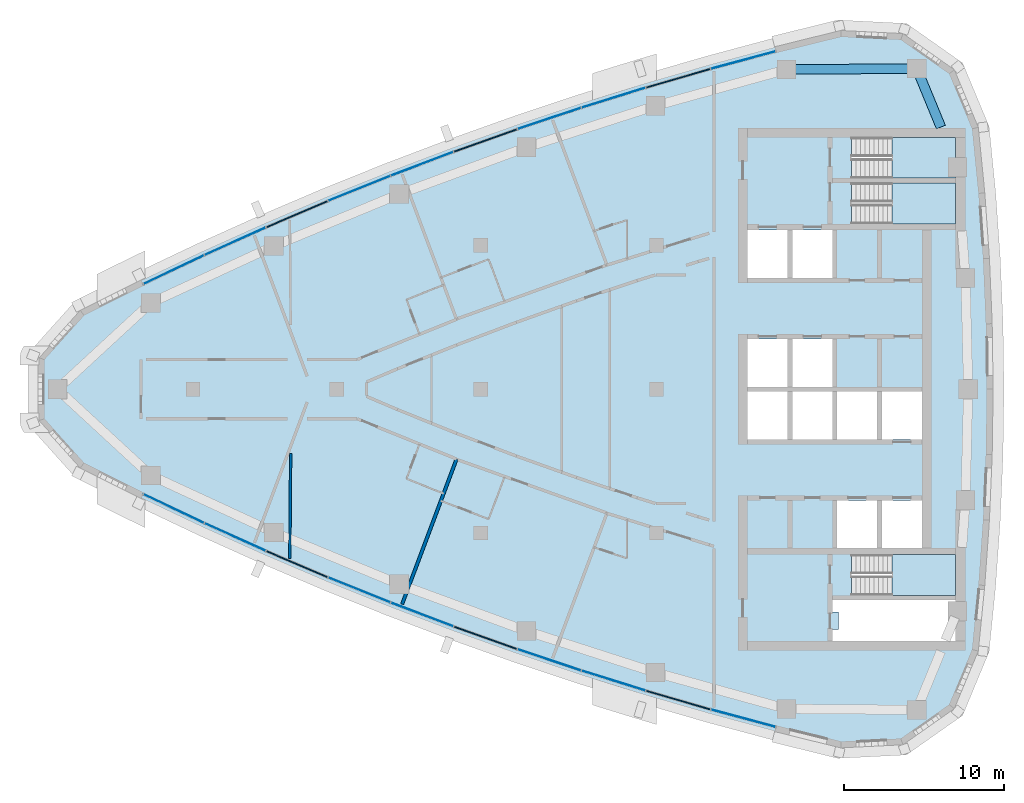
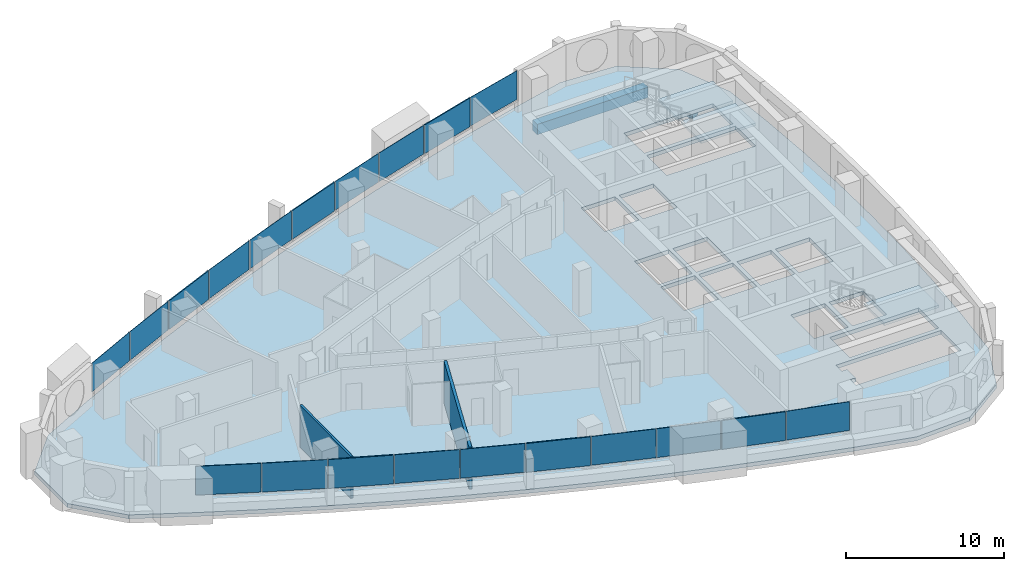
# One storey, part 7 of 16: 20 plates, 4 slabs, 2 beams, 2 walls, 1 opening, 13 elements without a shape of their own.
"""IFC4 building model written with IfcOpenShell, lengths in metres."""

from ifc_helpers import new_model, si_unit, direction, frame, frame_2d, origin, origin_2d, place, context, subcontext, project, spatial, polyline, rectangle, outline, extrude, material, layer, layer_set, material_profile, profile_set, type_object, element, aggregate, save


model = new_model("IFC4")

# Units and contexts
model_context = context("Model", 3, precision=1e-05, world=origin(), true_north=direction((0.0, 1.0)))
body_context = subcontext(model_context, "Body", "Model", "MODEL_VIEW")
ifc_project = project(units=[si_unit("LENGTHUNIT", "METRE"), si_unit("AREAUNIT", "SQUARE_METRE"), si_unit("VOLUMEUNIT", "CUBIC_METRE"), si_unit("PLANEANGLEUNIT", "RADIAN"), si_unit("MASSUNIT", "GRAM", prefix="KILO")], contexts=[model_context])

# Site, building, storey
site_placement = place(None, origin())
site = spatial("IfcSite", under=ifc_project, at=site_placement, CompositionType="ELEMENT")
building_placement = place(site_placement, origin())
building = spatial("IfcBuilding", under=site, at=building_placement, Name="Ostrand Prow Hotel Tower", CompositionType="ELEMENT")
storey_placement = place(building_placement, frame((0.0, 0.0, 227.89990234375)))
storey = spatial("IfcBuildingStorey", under=building, at=storey_placement, Name="L57", CompositionType="ELEMENT", Elevation=227.89990234375)

# Beams
ifc_material_1 = material(Name="Concrete C50/60", Category="concrete")
ifc_material_profile = material_profile(ifc_material_1, rectangle(XDim=0.60009765625, YDim=0.800048828125, at=origin_2d()), Name="RC 600x800")
ifc_profile_set = profile_set([ifc_material_profile], Name="Concrete C50/60")
beam_type = type_object("IfcBeamType", Name="Edge beam 600x800 C50/60", PredefinedType="SPANDREL", material=ifc_profile_set)
beam_1_placement = place(storey_placement, frame((62.7919921875, 16.39990234375, -0.699951171875), z_axis=(-0.380777709221, 0.924666608114, 0.0), x_axis=(-0.924666608114, -0.380777709221, 0.0)))
element("IfcBeam", 1, at=beam_1_placement, inside=storey, type_object=beam_type, Name="Edge beam B5-NE", PredefinedType="SPANDREL", context=body_context, shape_type="SweptSolid", body=[
    extrude(rectangle(XDim=0.60009765625, YDim=0.800048828125, at=origin_2d()), origin(), (0.0, 0.0, 1.0), 3.96044921875),
])
beam_2_placement = place(storey_placement, frame((61.283935546875, 20.06201171875, -0.699951171875), z_axis=(-0.999970657582, -0.007660546678, 0.0), x_axis=(0.007660546678, -0.999970657582, 0.0)))
element("IfcBeam", 2, at=beam_2_placement, inside=storey, type_object=beam_type, Name="Edge beam NE-N1", PredefinedType="SPANDREL", context=body_context, shape_type="SweptSolid", body=[
    extrude(rectangle(XDim=0.60009765625, YDim=0.800048828125, at=origin_2d()), origin(), (0.0, 0.0, 1.0), 8.15869140625),
])

# Curtain wall, plates
ifc_material_2 = material(Name="Insulated glass in bronze anodised frame", Category="glass")
ifc_layer_1 = layer(ifc_material_2, 0.199951171875)
ifc_layer_set_1 = layer_set([ifc_layer_1], Name="Insulated glass in bronze anodised frame")
curtain_wall_type = type_object("IfcCurtainWallType", Name="Strip curtain wall, fritted glass over bronze spandrel", PredefinedType="NOTDEFINED", material=ifc_layer_set_1)
curtain_wall_1_placement = place(storey_placement, origin())
curtain_wall_1 = element("IfcCurtainWall", 3, at=curtain_wall_1_placement, inside=storey, type_object=curtain_wall_type, Name="CW1 run CWS1", PredefinedType="NOTDEFINED")
ifc_material_3 = material(Name="Ceramic-fritted glass", Category="glass")
ifc_layer_2 = layer(ifc_material_3, 0.031982421875)
ifc_layer_set_2 = layer_set([ifc_layer_2], Name="Ceramic-fritted glass")
plate_type_1 = type_object("IfcPlateType", Name="Dot-fritted ceramic glass unit 32 mm", PredefinedType="CURTAIN_PANEL", material=ifc_layer_set_2)
plate_1_placement = place(storey_placement, frame((14.801025390625, -7.4765625, 1.02001953125), z_axis=(0.0, 0.0, 1.0), x_axis=(0.903370475577, -0.428861030937, 0.0)))
plate_1 = element("IfcPlate", 4, at=plate_1_placement, type_object=plate_type_1, Name="CW1 PN-D panel 1.2", PredefinedType="CURTAIN_PANEL", context=body_context, shape_type="SweptSolid", body=[
    extrude(rectangle(XDim=4.163818359375, YDim=0.031982421875, at=origin_2d()), origin(), (0.0, 0.0, 1.0), 2.22998046875),
])
plate_2_placement = place(storey_placement, frame((18.634521484375, -9.249267578125, 1.02001953125), z_axis=(0.0, 0.0, 1.0), x_axis=(0.911823681514, -0.41058199404, 0.0)))
plate_2 = element("IfcPlate", 5, at=plate_2_placement, type_object=plate_type_1, Name="CW1 PN-D panel 2.2", PredefinedType="CURTAIN_PANEL", context=body_context, shape_type="SweptSolid", body=[
    extrude(rectangle(XDim=4.163818359375, YDim=0.031982421875, at=origin_2d()), origin(), (0.0, 0.0, 1.0), 2.22998046875),
])
aggregate(curtain_wall_1, [plate_1, plate_2])

# Curtain wall, plate
curtain_wall_2_placement = place(storey_placement, origin())
curtain_wall_2 = element("IfcCurtainWall", 6, at=curtain_wall_2_placement, inside=storey, type_object=curtain_wall_type, Name="CW1 run CWS2", PredefinedType="NOTDEFINED")
plate_3_placement = place(storey_placement, frame((26.404541015625, -12.5615234375, 1.02001953125), z_axis=(0.0, 0.0, 1.0), x_axis=(0.927616710972, -0.373533449004, 0.0)))
plate_3 = element("IfcPlate", 7, at=plate_3_placement, type_object=plate_type_1, Name="CW1 PN-D panel 2.2", PredefinedType="CURTAIN_PANEL", context=body_context, shape_type="SweptSolid", body=[
    extrude(rectangle(XDim=4.163818359375, YDim=0.031982421875, at=origin_2d()), origin(), (0.0, 0.0, 1.0), 2.22998046875),
])

curtain_wall_3_placement = place(storey_placement, origin())
curtain_wall_3 = element("IfcCurtainWall", 8, at=curtain_wall_3_placement, inside=storey, type_object=curtain_wall_type, Name="CW1 run CWS3", PredefinedType="NOTDEFINED")
plate_4_placement = place(storey_placement, frame((30.337890625, -14.099609375, 1.02001953125), z_axis=(0.0, 0.0, 1.0), x_axis=(0.934950813567, -0.354777361469, 0.0)))
plate_4 = element("IfcPlate", 9, at=plate_4_placement, type_object=plate_type_1, Name="CW1 PN-D panel 1.2", PredefinedType="CURTAIN_PANEL", context=body_context, shape_type="SweptSolid", body=[
    extrude(rectangle(XDim=4.163818359375, YDim=0.031982421875, at=origin_2d()), origin(), (0.0, 0.0, 1.0), 2.22998046875),
])

# Curtain wall, plates
curtain_wall_4_placement = place(storey_placement, origin())
curtain_wall_4 = element("IfcCurtainWall", 10, at=curtain_wall_4_placement, inside=storey, type_object=curtain_wall_type, Name="CW1 run CWS4", PredefinedType="NOTDEFINED")
plate_5_placement = place(storey_placement, frame((38.2939453125, -16.9365234375, 1.02001953125), z_axis=(0.0, 0.0, 1.0), x_axis=(0.948478606268, -0.31684118017, 0.0)))
plate_5 = element("IfcPlate", 11, at=plate_5_placement, type_object=plate_type_1, Name="CW1 PN-D panel 1.2", PredefinedType="CURTAIN_PANEL", context=body_context, shape_type="SweptSolid", body=[
    extrude(rectangle(XDim=4.163818359375, YDim=0.031982421875, at=origin_2d()), origin(), (0.0, 0.0, 1.0), 2.22998046875),
])
plate_6_placement = place(storey_placement, frame((42.31298828125, -18.234375, 1.02001953125), z_axis=(0.0, 0.0, 1.0), x_axis=(0.95466629023, -0.297678138765, 0.0)))
plate_6 = element("IfcPlate", 12, at=plate_6_placement, type_object=plate_type_1, Name="CW1 PN-D panel 2.2", PredefinedType="CURTAIN_PANEL", context=body_context, shape_type="SweptSolid", body=[
    extrude(rectangle(XDim=4.163818359375, YDim=0.031982421875, at=origin_2d()), origin(), (0.0, 0.0, 1.0), 2.22998046875),
])
aggregate(curtain_wall_4, [plate_5, plate_6])

# Curtain wall, plate
curtain_wall_5_placement = place(storey_placement, origin())
curtain_wall_5 = element("IfcCurtainWall", 13, at=curtain_wall_5_placement, inside=storey, type_object=curtain_wall_type, Name="CW1 run CWS5", PredefinedType="NOTDEFINED")
plate_7_placement = place(storey_placement, frame((50.42578125, -20.5859375, 1.02001953125), z_axis=(0.0, 0.0, 1.0), x_axis=(0.965878831034, -0.258994370132, 0.0)))
plate_7 = element("IfcPlate", 14, at=plate_7_placement, type_object=plate_type_1, Name="CW1 PN-D panel 2.2", PredefinedType="CURTAIN_PANEL", context=body_context, shape_type="SweptSolid", body=[
    extrude(rectangle(XDim=4.163818359375, YDim=0.031982421875, at=origin_2d()), origin(), (0.0, 0.0, 1.0), 2.22998046875),
])

curtain_wall_6_placement = place(storey_placement, origin())
curtain_wall_6 = element("IfcCurtainWall", 15, at=curtain_wall_6_placement, inside=storey, type_object=curtain_wall_type, Name="CW1 run CWN1", PredefinedType="NOTDEFINED")
plate_8_placement = place(storey_placement, frame((50.42578125, 20.5859375, 1.02001953125), z_axis=(0.0, 0.0, 1.0), x_axis=(-0.965878831034, -0.258994370132, 0.0)))
plate_8 = element("IfcPlate", 16, at=plate_8_placement, type_object=plate_type_1, Name="CW1 PN-D panel 1.2", PredefinedType="CURTAIN_PANEL", context=body_context, shape_type="SweptSolid", body=[
    extrude(rectangle(XDim=4.163818359375, YDim=0.031982421875, at=origin_2d()), origin(), (0.0, 0.0, 1.0), 2.22998046875),
])

# Curtain wall, plates
curtain_wall_7_placement = place(storey_placement, origin())
curtain_wall_7 = element("IfcCurtainWall", 17, at=curtain_wall_7_placement, inside=storey, type_object=curtain_wall_type, Name="CW1 run CWN2", PredefinedType="NOTDEFINED")
plate_9_placement = place(storey_placement, frame((42.31298828125, 18.234375, 1.02001953125), z_axis=(0.0, 0.0, 1.0), x_axis=(-0.95466629023, -0.297678138765, 0.0)))
plate_9 = element("IfcPlate", 18, at=plate_9_placement, type_object=plate_type_1, Name="CW1 PN-D panel 1.2", PredefinedType="CURTAIN_PANEL", context=body_context, shape_type="SweptSolid", body=[
    extrude(rectangle(XDim=4.163818359375, YDim=0.031982421875, at=origin_2d()), origin(), (0.0, 0.0, 1.0), 2.22998046875),
])
plate_10_placement = place(storey_placement, frame((38.2939453125, 16.9365234375, 1.02001953125), z_axis=(0.0, 0.0, 1.0), x_axis=(-0.948478606268, -0.31684118017, 0.0)))
plate_10 = element("IfcPlate", 19, at=plate_10_placement, type_object=plate_type_1, Name="CW1 PN-D panel 2.2", PredefinedType="CURTAIN_PANEL", context=body_context, shape_type="SweptSolid", body=[
    extrude(rectangle(XDim=4.163818359375, YDim=0.031982421875, at=origin_2d()), origin(), (0.0, 0.0, 1.0), 2.22998046875),
])
aggregate(curtain_wall_7, [plate_9, plate_10])

# Curtain wall, plate
curtain_wall_8_placement = place(storey_placement, origin())
curtain_wall_8 = element("IfcCurtainWall", 20, at=curtain_wall_8_placement, inside=storey, type_object=curtain_wall_type, Name="CW1 run CWN3", PredefinedType="NOTDEFINED")
plate_11_placement = place(storey_placement, frame((30.337890625, 14.099609375, 1.02001953125), z_axis=(0.0, 0.0, 1.0), x_axis=(-0.934950813567, -0.354777361469, 0.0)))
plate_11 = element("IfcPlate", 21, at=plate_11_placement, type_object=plate_type_1, Name="CW1 PN-D panel 2.2", PredefinedType="CURTAIN_PANEL", context=body_context, shape_type="SweptSolid", body=[
    extrude(rectangle(XDim=4.163818359375, YDim=0.031982421875, at=origin_2d()), origin(), (0.0, 0.0, 1.0), 2.22998046875),
])

curtain_wall_9_placement = place(storey_placement, origin())
curtain_wall_9 = element("IfcCurtainWall", 22, at=curtain_wall_9_placement, inside=storey, type_object=curtain_wall_type, Name="CW1 run CWN4", PredefinedType="NOTDEFINED")
plate_12_placement = place(storey_placement, frame((26.404541015625, 12.5615234375, 1.02001953125), z_axis=(0.0, 0.0, 1.0), x_axis=(-0.927616710972, -0.373533449004, 0.0)))
plate_12 = element("IfcPlate", 23, at=plate_12_placement, type_object=plate_type_1, Name="CW1 PN-D panel 1.2", PredefinedType="CURTAIN_PANEL", context=body_context, shape_type="SweptSolid", body=[
    extrude(rectangle(XDim=4.163818359375, YDim=0.031982421875, at=origin_2d()), origin(), (0.0, 0.0, 1.0), 2.22998046875),
])

# Curtain wall, plates
curtain_wall_10_placement = place(storey_placement, origin())
curtain_wall_10 = element("IfcCurtainWall", 24, at=curtain_wall_10_placement, inside=storey, type_object=curtain_wall_type, Name="CW1 run CWN5", PredefinedType="NOTDEFINED")
plate_13_placement = place(storey_placement, frame((18.634521484375, 9.249267578125, 1.02001953125), z_axis=(0.0, 0.0, 1.0), x_axis=(-0.911823681514, -0.41058199404, 0.0)))
plate_13 = element("IfcPlate", 25, at=plate_13_placement, type_object=plate_type_1, Name="CW1 PN-D panel 1.2", PredefinedType="CURTAIN_PANEL", context=body_context, shape_type="SweptSolid", body=[
    extrude(rectangle(XDim=4.163818359375, YDim=0.031982421875, at=origin_2d()), origin(), (0.0, 0.0, 1.0), 2.22998046875),
])
plate_14_placement = place(storey_placement, frame((14.801025390625, 7.4765625, 1.02001953125), z_axis=(0.0, 0.0, 1.0), x_axis=(-0.903370475577, -0.428861030937, 0.0)))
plate_14 = element("IfcPlate", 26, at=plate_14_placement, type_object=plate_type_1, Name="CW1 PN-D panel 2.2", PredefinedType="CURTAIN_PANEL", context=body_context, shape_type="SweptSolid", body=[
    extrude(rectangle(XDim=4.163818359375, YDim=0.031982421875, at=origin_2d()), origin(), (0.0, 0.0, 1.0), 2.22998046875),
])
aggregate(curtain_wall_10, [plate_13, plate_14])

# Plate
ifc_material_4 = material(Name="Fritted glass in bronze vent frame", Category="glass")
ifc_layer_3 = layer(ifc_material_4, 0.080078125)
ifc_layer_set_3 = layer_set([ifc_layer_3], Name="Fritted glass in bronze vent frame")
plate_type_2 = type_object("IfcPlateType", Name="Operable vent panel 80 mm", PredefinedType="CURTAIN_PANEL", material=ifc_layer_set_3)
plate_15_placement = place(storey_placement, frame((22.502685546875, -10.944580078125, 1.02001953125), z_axis=(0.0, 0.0, 1.0), x_axis=(0.919907070112, -0.392136433347, 0.0)))
plate_15 = element("IfcPlate", 27, at=plate_15_placement, type_object=plate_type_2, Name="CW1 PN-O2 panel 1.2", PredefinedType="CURTAIN_PANEL", context=body_context, shape_type="SweptSolid", body=[
    extrude(rectangle(XDim=4.163818359375, YDim=0.080078125, at=origin_2d()), origin(), (0.0, 0.0, 1.0), 2.22998046875),
])

aggregate(curtain_wall_2, [plate_15, plate_3])

plate_16_placement = place(storey_placement, frame((34.3017578125, -15.55810546875, 1.02001953125), z_axis=(0.0, 0.0, 1.0), x_axis=(0.941905718922, -0.335877383374, 0.0)))
plate_16 = element("IfcPlate", 28, at=plate_16_placement, type_object=plate_type_2, Name="CW1 PN-O2 panel 2.2", PredefinedType="CURTAIN_PANEL", context=body_context, shape_type="SweptSolid", body=[
    extrude(rectangle(XDim=4.163818359375, YDim=0.080078125, at=origin_2d()), origin(), (0.0, 0.0, 1.0), 2.22998046875),
])

aggregate(curtain_wall_3, [plate_4, plate_16])

plate_17_placement = place(storey_placement, frame((46.357666015625, -19.450927734375, 1.02001953125), z_axis=(0.0, 0.0, 1.0), x_axis=(0.960467333745, -0.27839270969, 0.0)))
plate_17 = element("IfcPlate", 29, at=plate_17_placement, type_object=plate_type_2, Name="CW1 PN-O2 panel 1.2", PredefinedType="CURTAIN_PANEL", context=body_context, shape_type="SweptSolid", body=[
    extrude(rectangle(XDim=4.163818359375, YDim=0.080078125, at=origin_2d()), origin(), (0.0, 0.0, 1.0), 2.22998046875),
])

aggregate(curtain_wall_5, [plate_17, plate_7])

plate_18_placement = place(storey_placement, frame((46.357666015625, 19.450927734375, 1.02001953125), z_axis=(0.0, 0.0, 1.0), x_axis=(-0.960467333745, -0.27839270969, 0.0)))
plate_18 = element("IfcPlate", 30, at=plate_18_placement, type_object=plate_type_2, Name="CW1 PN-O2 panel 2.2", PredefinedType="CURTAIN_PANEL", context=body_context, shape_type="SweptSolid", body=[
    extrude(rectangle(XDim=4.163818359375, YDim=0.080078125, at=origin_2d()), origin(), (0.0, 0.0, 1.0), 2.22998046875),
])

aggregate(curtain_wall_6, [plate_8, plate_18])

plate_19_placement = place(storey_placement, frame((34.3017578125, 15.55810546875, 1.02001953125), z_axis=(0.0, 0.0, 1.0), x_axis=(-0.941905718922, -0.335877383374, 0.0)))
plate_19 = element("IfcPlate", 31, at=plate_19_placement, type_object=plate_type_2, Name="CW1 PN-O2 panel 1.2", PredefinedType="CURTAIN_PANEL", context=body_context, shape_type="SweptSolid", body=[
    extrude(rectangle(XDim=4.163818359375, YDim=0.080078125, at=origin_2d()), origin(), (0.0, 0.0, 1.0), 2.22998046875),
])

aggregate(curtain_wall_8, [plate_19, plate_11])

plate_20_placement = place(storey_placement, frame((22.502685546875, 10.944580078125, 1.02001953125), z_axis=(0.0, 0.0, 1.0), x_axis=(-0.919907070112, -0.392136433347, 0.0)))
plate_20 = element("IfcPlate", 32, at=plate_20_placement, type_object=plate_type_2, Name="CW1 PN-O2 panel 2.2", PredefinedType="CURTAIN_PANEL", context=body_context, shape_type="SweptSolid", body=[
    extrude(rectangle(XDim=4.163818359375, YDim=0.080078125, at=origin_2d()), origin(), (0.0, 0.0, 1.0), 2.22998046875),
])

aggregate(curtain_wall_9, [plate_12, plate_20])

# Slab, opening
ifc_material_5 = material(Name="Concrete C40/50", Category="concrete")
ifc_layer_4 = layer(ifc_material_5, 0.300048828125)
ifc_layer_set_4 = layer_set([ifc_layer_4], Name="Concrete C40/50")
slab_type_1 = type_object("IfcSlabType", Name="PT flat plate 300 C40/50", PredefinedType="FLOOR", material=ifc_layer_set_4)
slab_1_placement = place(storey_placement, frame((0.0, 0.0, -0.2998046875)))
slab_1 = element("IfcSlab", 33, at=slab_1_placement, inside=storey, type_object=slab_type_1, Name="Floor slab L57-1", PredefinedType="FLOOR", context=body_context, shape_type="SweptSolid", body=[
    extrude(outline(polyline([(8.85205078125, 5.097412109375), (12.679443359375, 7.009765625), (16.50390625, 8.825439453125), (20.364013671875, 10.563720703125), (24.258544921875, 12.223876953125), (28.185791015625, 13.80517578125), (32.143798828125, 15.30712890625), (36.131591796875, 16.72900390625), (40.14697265625, 18.0703125), (44.188720703125, 19.330810546875), (48.2548828125, 20.50927734375), (52.343994140625, 21.605712890625), (56.4873046875, 22.627685546875), (60.48193359375, 22.4287109375), (63.7822265625, 20.107177734375), (65.320068359375, 16.414794921875), (65.728515625, 12.29736328125), (66.018310546875, 8.20361328125), (66.19189453125, 4.103515625), (66.25, 0.0), (66.19189453125, -4.103515625), (66.018310546875, -8.20361328125), (65.728515625, -12.29736328125), (65.320068359375, -16.414794921875), (63.7822265625, -20.107177734375), (60.48193359375, -22.4287109375), (56.4873046875, -22.627685546875), (52.343994140625, -21.605712890625), (48.2548828125, -20.50927734375), (44.188720703125, -19.330810546875), (40.14697265625, -18.0703125), (36.131591796875, -16.72900390625), (32.143798828125, -15.30712890625), (28.185791015625, -13.80517578125), (24.258544921875, -12.223876953125), (20.364013671875, -10.563720703125), (16.50390625, -8.825439453125), (12.679443359375, -7.009765625), (8.85205078125, -5.097412109375), (6.127685546875, -2.06298828125), (6.127685546875, 2.06298828125), (8.85205078125, 5.097412109375)]), holes=[polyline([(50.699951171875, 6.949951171875), (53.199951171875, 6.949951171875), (53.199951171875, 9.949951171875), (50.699951171875, 9.949951171875), (50.699951171875, 6.949951171875)]), polyline([(53.5, 6.949951171875), (56.0, 6.949951171875), (56.0, 9.949951171875), (53.5, 9.949951171875), (53.5, 6.949951171875)]), polyline([(50.699951171875, 0.14990234375), (53.199951171875, 0.14990234375), (53.199951171875, 3.14990234375), (50.699951171875, 3.14990234375), (50.699951171875, 0.14990234375)]), polyline([(53.5, 0.14990234375), (56.0, 0.14990234375), (56.0, 3.14990234375), (53.5, 3.14990234375), (53.5, 0.14990234375)]), polyline([(50.699951171875, -3.14990234375), (53.199951171875, -3.14990234375), (53.199951171875, -0.14990234375), (50.699951171875, -0.14990234375), (50.699951171875, -3.14990234375)]), polyline([(53.5, -3.14990234375), (56.0, -3.14990234375), (56.0, -0.14990234375), (53.5, -0.14990234375), (53.5, -3.14990234375)]), polyline([(56.300048828125, -3.14990234375), (58.800048828125, -3.14990234375), (58.800048828125, -0.14990234375), (56.300048828125, -0.14990234375), (56.300048828125, -3.14990234375)]), polyline([(59.10009765625, -3.14990234375), (61.60009765625, -3.14990234375), (61.60009765625, -0.14990234375), (59.10009765625, -0.14990234375), (59.10009765625, -3.14990234375)]), polyline([(56.300048828125, -9.949951171875), (58.800048828125, -9.949951171875), (58.800048828125, -6.949951171875), (56.300048828125, -6.949951171875), (56.300048828125, -9.949951171875)]), polyline([(59.10009765625, -9.949951171875), (61.60009765625, -9.949951171875), (61.60009765625, -6.949951171875), (59.10009765625, -6.949951171875), (59.10009765625, -9.949951171875)]), polyline([(57.200927734375, 10.35107421875), (57.200927734375, 12.89892578125), (63.718994140625, 12.89892578125), (63.718994140625, 10.35107421875), (57.200927734375, 10.35107421875)]), polyline([(57.200927734375, 13.200927734375), (57.200927734375, 15.7490234375), (63.718994140625, 15.7490234375), (63.718994140625, 13.200927734375), (57.200927734375, 13.200927734375)]), polyline([(57.200927734375, -12.89892578125), (57.200927734375, -10.35107421875), (63.718994140625, -10.35107421875), (63.718994140625, -12.89892578125), (57.200927734375, -12.89892578125)]), polyline([(56.0, -13.949951171875), (56.0, -13.199951171875), (63.719970703125, -13.199951171875), (63.719970703125, -15.75), (56.0, -15.75), (56.0, -15.050048828125), (56.39990234375, -15.050048828125), (56.39990234375, -13.949951171875), (56.0, -13.949951171875)])]), origin(), (0.0, 0.0, 1.0), 0.2998046875),
])
opening_placement = place(slab_1_placement, origin())
element("IfcOpeningElement", 34, at=opening_placement, cuts=slab_1, Name="Shaft opening 1", PredefinedType="OPENING", context=body_context, shape_type="SweptSolid", body=[
    extrude(outline(polyline([(56.0, -13.949951171875), (56.0, -13.199951171875), (63.719970703125, -13.199951171875), (63.719970703125, -15.75), (56.0, -15.75), (56.0, -15.050048828125), (56.39990234375, -15.050048828125), (56.39990234375, -13.949951171875), (56.0, -13.949951171875)])), origin(), (0.0, 0.0, 1.0), 0.2998046875),
])

# Stair, slab
ifc_material_6 = material(Name="Concrete C40/50", Category="concrete")
stair_type = type_object("IfcStairType", Name="Exit stair 1200 upper zone", PredefinedType="HALF_TURN_STAIR", material=ifc_material_6)
stair_1_placement = place(storey_placement, origin())
stair_1 = element("IfcStair", 35, at=stair_1_placement, inside=storey, type_object=stair_type, Name="L57 ST1C", PredefinedType="HALF_TURN_STAIR")
ifc_material_7 = material(Name="Concrete C40/50", Category="concrete")
ifc_layer_5 = layer(ifc_material_7, 0.199951171875)
ifc_layer_set_5 = layer_set([ifc_layer_5], Name="Concrete C40/50")
slab_type_2 = type_object("IfcSlabType", Name="Stair landing 200 concrete", PredefinedType="LANDING", material=ifc_layer_set_5)
slab_2_placement = place(storey_placement, frame((0.0, 0.0, 1.5751953125)))
slab_2 = element("IfcSlab", 36, at=slab_2_placement, type_object=slab_type_2, Name="ST1C landing 1", PredefinedType="LANDING", context=body_context, shape_type="SweptSolid", body=[
    extrude(outline(polyline([(59.719970703125, 10.35009765625), (63.719970703125, 10.35009765625), (63.719970703125, 12.89990234375), (59.719970703125, 12.89990234375), (59.719970703125, 10.35009765625)])), origin(), (0.0, 0.0, 1.0), 0.199951171875),
])
aggregate(stair_1, [slab_2])

stair_2_placement = place(storey_placement, origin())
stair_2 = element("IfcStair", 37, at=stair_2_placement, inside=storey, type_object=stair_type, Name="L57 ST3C", PredefinedType="HALF_TURN_STAIR")
slab_3_placement = place(storey_placement, frame((0.0, 0.0, 1.5751953125)))
slab_3 = element("IfcSlab", 38, at=slab_3_placement, type_object=slab_type_2, Name="ST3C landing 1", PredefinedType="LANDING", context=body_context, shape_type="SweptSolid", body=[
    extrude(outline(polyline([(59.719970703125, 13.199951171875), (63.719970703125, 13.199951171875), (63.719970703125, 15.75), (59.719970703125, 15.75), (59.719970703125, 13.199951171875)])), origin(), (0.0, 0.0, 1.0), 0.199951171875),
])
aggregate(stair_2, [slab_3])

stair_3_placement = place(storey_placement, origin())
stair_3 = element("IfcStair", 39, at=stair_3_placement, inside=storey, type_object=stair_type, Name="L57 ST2C", PredefinedType="HALF_TURN_STAIR")
slab_4_placement = place(storey_placement, frame((0.0, 0.0, 1.5751953125)))
slab_4 = element("IfcSlab", 40, at=slab_4_placement, type_object=slab_type_2, Name="ST2C landing 1", PredefinedType="LANDING", context=body_context, shape_type="SweptSolid", body=[
    extrude(outline(polyline([(59.719970703125, -12.89990234375), (63.719970703125, -12.89990234375), (63.719970703125, -10.35009765625), (59.719970703125, -10.35009765625), (59.719970703125, -12.89990234375)])), origin(), (0.0, 0.0, 1.0), 0.199951171875),
])
aggregate(stair_3, [slab_4])

# Walls
ifc_material_8 = material(Name="Plasterboard partition")
ifc_layer_6 = layer(ifc_material_8, 0.14990234375)
ifc_layer_set_6 = layer_set([ifc_layer_6], Name="Plasterboard partition")
wall_type_1 = type_object("IfcWallType", Name="Partition 150 room partition", PredefinedType="PARTITIONING", material=ifc_layer_set_6)
wall_1_placement = place(storey_placement, frame((22.1123046875, -4.022705078125, 0.0), z_axis=(0.0, 0.0, 1.0), x_axis=(-0.008379594055, -0.999964890585, 0.0)))
element("IfcWall", 41, at=wall_1_placement, inside=storey, type_object=wall_type_1, Name="ROOM PARTITION", PredefinedType="PARTITIONING", context=body_context, shape_type="SweptSolid", body=[
    extrude(rectangle(XDim=6.555419921875, YDim=0.14990234375, at=frame_2d((3.27783203125, 0.0))), origin(), (0.0, 0.0, 1.0), 3.25),
])
ifc_material_9 = material(Name="Plasterboard partition")
ifc_layer_7 = layer(ifc_material_9, 0.199951171875)
ifc_layer_set_7 = layer_set([ifc_layer_7], Name="Plasterboard partition")
wall_type_2 = type_object("IfcWallType", Name="Partition 200 key partition", PredefinedType="PARTITIONING", material=ifc_layer_set_7)
wall_2_placement = place(storey_placement, frame((29.085693359375, -13.451416015625, 0.0), z_axis=(0.0, 0.0, 1.0), x_axis=(0.351128958016, 0.93632710889, 0.0)))
element("IfcWall", 42, at=wall_2_placement, inside=storey, type_object=wall_type_2, Name="KEY PARTITION", PredefinedType="PARTITIONING", context=body_context, shape_type="SweptSolid", body=[
    extrude(rectangle(XDim=9.7001953125, YDim=0.199951171875, at=frame_2d((4.85009765625, 0.0))), origin(), (0.0, 0.0, 1.0), 3.25),
])

save(model, "model.ifc")
